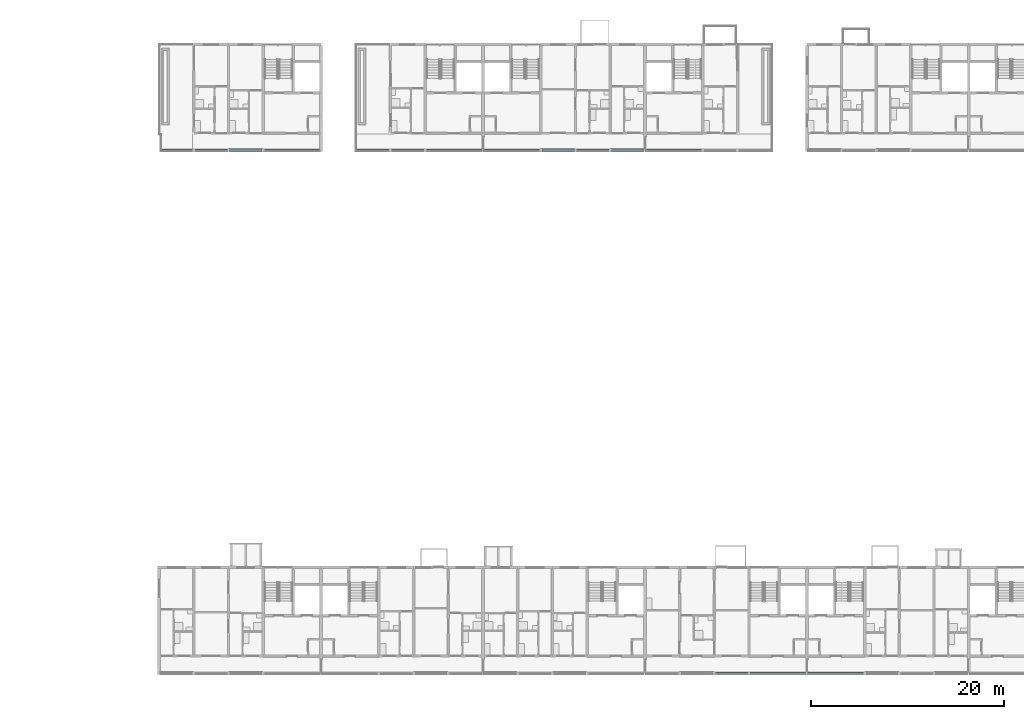
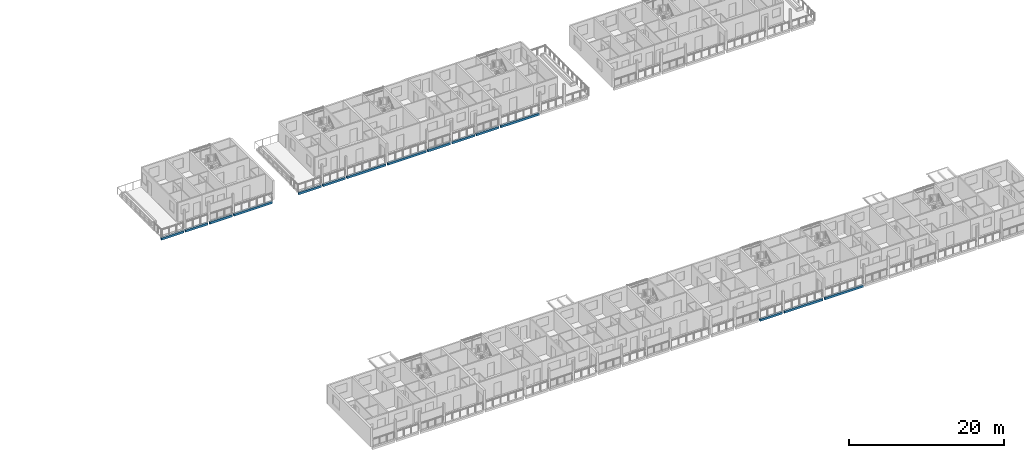
# One storey, part 18 of 94: 15 beams.
"""IFC4 building model written with IfcOpenShell, lengths in metres."""

from ifc_helpers import new_model, si_unit, direction, frame, origin, origin_2d, place, context, subcontext, project, spatial, rectangle, extrude, material, material_profile, profile_set, type_object, element, save


model = new_model("IFC4")

# Units and contexts
model_context = context("Model", 3, precision=1e-05, world=origin(), true_north=direction((0.0, 1.0)))
body_context = subcontext(model_context, "Body", "Model", "MODEL_VIEW")
ifc_project = project(units=[si_unit("LENGTHUNIT", "METRE"), si_unit("AREAUNIT", "SQUARE_METRE"), si_unit("VOLUMEUNIT", "CUBIC_METRE"), si_unit("PLANEANGLEUNIT", "RADIAN"), si_unit("MASSUNIT", "GRAM", prefix="KILO")], contexts=[model_context])

# Site, building, storey
site_placement = place(None, origin())
site = spatial("IfcSite", under=ifc_project, at=site_placement, CompositionType="ELEMENT")
building_placement = place(site_placement, origin())
building = spatial("IfcBuilding", under=site, at=building_placement, Name="Ridgestep Commons", CompositionType="ELEMENT")
storey_placement = place(building_placement, frame((0.0, 0.0, 24.0)))
storey = spatial("IfcBuildingStorey", under=building, at=storey_placement, Name="L08", CompositionType="ELEMENT", Elevation=24.0)

# Beams
ifc_material = material(Name="Precast concrete C40/50", Category="concrete")
ifc_material_profile = material_profile(ifc_material, rectangle(XDim=0.25, YDim=0.35009765625, at=origin_2d()), Name="PC 250x350")
ifc_profile_set = profile_set([ifc_material_profile], Name="Precast concrete C40/50")
beam_type = type_object("IfcBeamType", Name="Loggia edge beam 250 x 350", PredefinedType="SPANDREL", material=ifc_profile_set)
beam_1_placement = place(storey_placement, frame((146.949951171875, 66.125, -0.375), z_axis=(1.0, 0.0, 0.0), x_axis=(0.0, 1.0, 0.0)))
element("IfcBeam", 1, at=beam_1_placement, inside=storey, type_object=beam_type, Name="Loggia edge beam C1T1 L08", PredefinedType="SPANDREL", context=body_context, shape_type="SweptSolid", body=[
    extrude(rectangle(XDim=0.25, YDim=0.35009765625, at=origin_2d()), origin(), (0.0, 0.0, 1.0), 3.324951171875),
])
for number, where, z_axis, x_axis, name in (
    (2, (150.52490234375, 66.125, -0.375), (1.0, 0.0, 0.0), (0.0, 1.0, 0.0), "Loggia edge beam C1T2 L08"),
    (3, (154.125, 66.125, -0.375), (1.0, 0.0, 0.0), (0.0, 1.0, 0.0), "Loggia edge beam C1T3 L08"),
):
    element("IfcBeam", number, at=place(storey_placement, frame(where, z_axis=z_axis, x_axis=x_axis)), inside=storey, type_object=beam_type, Name=name, PredefinedType="SPANDREL", context=body_context, shape_type="SweptSolid", body=[
        extrude(rectangle(XDim=0.25, YDim=0.35009765625, at=origin_2d()), origin(), (0.0, 0.0, 1.0), 3.35009765625),
    ])
beam_2_placement = place(storey_placement, frame((157.72509765625, 66.125, -0.375), z_axis=(1.0, 0.0, 0.0), x_axis=(0.0, 1.0, 0.0)))
element("IfcBeam", 4, at=beam_2_placement, inside=storey, type_object=beam_type, Name="Loggia edge beam C1C L08", PredefinedType="SPANDREL", context=body_context, shape_type="SweptSolid", body=[
    extrude(rectangle(XDim=0.25, YDim=0.35009765625, at=origin_2d()), origin(), (0.0, 0.0, 1.0), 5.724853515625),
])
beam_3_placement = place(storey_placement, frame((167.324951171875, 66.125, -0.375), z_axis=(1.0, 0.0, 0.0), x_axis=(0.0, 1.0, 0.0)))
element("IfcBeam", 5, at=beam_3_placement, inside=storey, type_object=beam_type, Name="Loggia edge beam C2T2 L08", PredefinedType="SPANDREL", context=body_context, shape_type="SweptSolid", body=[
    extrude(rectangle(XDim=0.25, YDim=0.35009765625, at=origin_2d()), origin(), (0.0, 0.0, 1.0), 3.35009765625),
])
beam_4_placement = place(storey_placement, frame((170.925048828125, 66.125, -0.375), z_axis=(1.0, 0.0, 0.0), x_axis=(0.0, 1.0, 0.0)))
element("IfcBeam", 6, at=beam_4_placement, inside=storey, type_object=beam_type, Name="Loggia edge beam C2T3 L08", PredefinedType="SPANDREL", context=body_context, shape_type="SweptSolid", body=[
    extrude(rectangle(XDim=0.25, YDim=0.35009765625, at=origin_2d()), origin(), (0.0, 0.0, 1.0), 3.349853515625),
])
beam_5_placement = place(storey_placement, frame((174.52490234375, 66.125, -0.375), z_axis=(1.0, 0.0, 0.0), x_axis=(0.0, 1.0, 0.0)))
element("IfcBeam", 7, at=beam_5_placement, inside=storey, type_object=beam_type, Name="Loggia edge beam C2C L08", PredefinedType="SPANDREL", context=body_context, shape_type="SweptSolid", body=[
    extrude(rectangle(XDim=0.25, YDim=0.35009765625, at=origin_2d()), origin(), (0.0, 0.0, 1.0), 5.72509765625),
])
beam_6_placement = place(storey_placement, frame((180.550048828125, 66.125, -0.375), z_axis=(1.0, 0.0, 0.0), x_axis=(0.0, 1.0, 0.0)))
element("IfcBeam", 8, at=beam_6_placement, inside=storey, type_object=beam_type, Name="Loggia edge beam C3C L08", PredefinedType="SPANDREL", context=body_context, shape_type="SweptSolid", body=[
    extrude(rectangle(XDim=0.25, YDim=0.35009765625, at=origin_2d()), origin(), (0.0, 0.0, 1.0), 5.724853515625),
])
for number, where, z_axis, x_axis, name in (
    (9, (186.52490234375, 66.125, -0.375), (1.0, 0.0, 0.0), (0.0, 1.0, 0.0), "Loggia edge beam C3T3 L08"),
    (10, (190.125, 66.125, -0.375), (1.0, 0.0, 0.0), (0.0, 1.0, 0.0), "Loggia edge beam C3T2 L08"),
):
    element("IfcBeam", number, at=place(storey_placement, frame(where, z_axis=z_axis, x_axis=x_axis)), inside=storey, type_object=beam_type, Name=name, PredefinedType="SPANDREL", context=body_context, shape_type="SweptSolid", body=[
        extrude(rectangle(XDim=0.25, YDim=0.35009765625, at=origin_2d()), origin(), (0.0, 0.0, 1.0), 3.35009765625),
    ])
beam_7_placement = place(storey_placement, frame((193.72509765625, 66.125, -0.375), z_axis=(1.0, 0.0, 0.0), x_axis=(0.0, 1.0, 0.0)))
element("IfcBeam", 11, at=beam_7_placement, inside=storey, type_object=beam_type, Name="Loggia edge beam C3T1 L08", PredefinedType="SPANDREL", context=body_context, shape_type="SweptSolid", body=[
    extrude(rectangle(XDim=0.25, YDim=0.35009765625, at=origin_2d()), origin(), (0.0, 0.0, 1.0), 3.324951171875),
])
beam_8_placement = place(storey_placement, frame((197.35009765625, 66.125, -0.375), z_axis=(1.0, 0.0, 0.0), x_axis=(0.0, 1.0, 0.0)))
element("IfcBeam", 12, at=beam_8_placement, inside=storey, type_object=beam_type, Name="Loggia edge beam C4C L08", PredefinedType="SPANDREL", context=body_context, shape_type="SweptSolid", body=[
    extrude(rectangle(XDim=0.25, YDim=0.35009765625, at=origin_2d()), origin(), (0.0, 0.0, 1.0), 5.724853515625),
])
beam_9_placement = place(storey_placement, frame((204.52490234375, 11.875, -0.375), z_axis=(1.0, 0.0, 0.0), x_axis=(0.0, 1.0, 0.0)))
element("IfcBeam", 13, at=beam_9_placement, inside=storey, type_object=beam_type, Name="Loggia edge beam D4T3 L08", PredefinedType="SPANDREL", context=body_context, shape_type="SweptSolid", body=[
    extrude(rectangle(XDim=0.25, YDim=0.35009765625, at=origin_2d()), origin(), (0.0, 0.0, 1.0), 3.35009765625),
])
for number, where, z_axis, x_axis, name in (
    (14, (208.125, 11.875, -0.375), (1.0, 0.0, 0.0), (0.0, 1.0, 0.0), "Loggia edge beam D4C L08"),
    (15, (214.14990234375, 11.875, -0.375), (1.0, 0.0, 0.0), (0.0, 1.0, 0.0), "Loggia edge beam D5C L08"),
):
    element("IfcBeam", number, at=place(storey_placement, frame(where, z_axis=z_axis, x_axis=x_axis)), inside=storey, type_object=beam_type, Name=name, PredefinedType="SPANDREL", context=body_context, shape_type="SweptSolid", body=[
        extrude(rectangle(XDim=0.25, YDim=0.35009765625, at=origin_2d()), origin(), (0.0, 0.0, 1.0), 5.72509765625),
    ])

save(model, "model.ifc")
